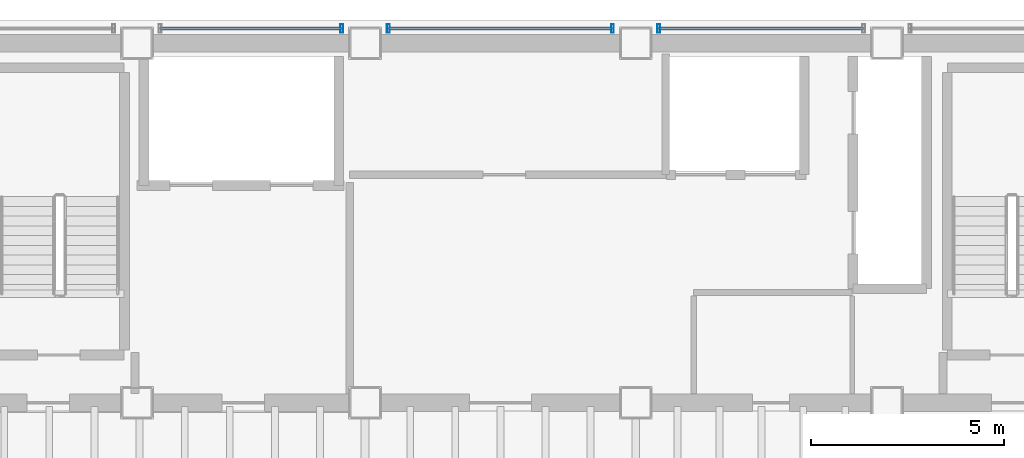
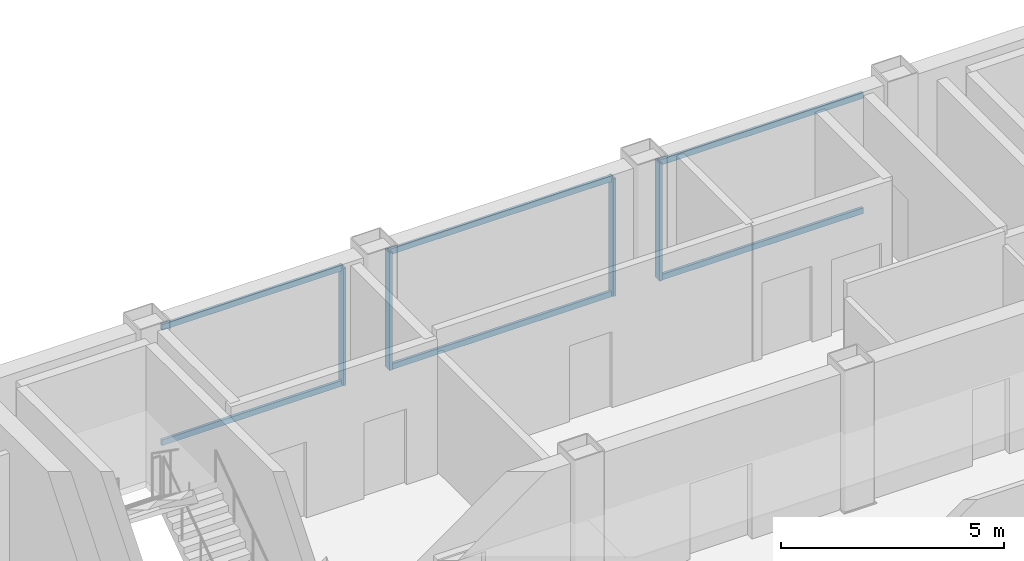
# One storey, part 9 of 16: 10 members, 3 elements without a shape of their own.
"""IFC4 building model written with IfcOpenShell, lengths in metres."""

from ifc_helpers import new_model, si_unit, direction, frame, origin, origin_2d, place, context, subcontext, project, spatial, hollow_rectangle, extrude, material, material_profile, profile_set, type_object, element, aggregate, save


model = new_model("IFC4")

# Units and contexts
model_context = context("Model", 3, precision=1e-05, world=origin(), true_north=direction((0.0, 1.0)))
body_context = subcontext(model_context, "Body", "Model", "MODEL_VIEW")
ifc_project = project(units=[si_unit("LENGTHUNIT", "METRE"), si_unit("AREAUNIT", "SQUARE_METRE"), si_unit("VOLUMEUNIT", "CUBIC_METRE"), si_unit("PLANEANGLEUNIT", "RADIAN"), si_unit("MASSUNIT", "GRAM", prefix="KILO")], contexts=[model_context])

# Site, building, storey
site_placement = place(None, origin())
site = spatial("IfcSite", under=ifc_project, at=site_placement, CompositionType="ELEMENT")
building_placement = place(site_placement, origin())
building = spatial("IfcBuilding", under=site, at=building_placement, Name="Noeulbin Bourse Tower", CompositionType="ELEMENT")
storey_placement = place(building_placement, frame((0.0, 0.0, 234.5)))
storey = spatial("IfcBuildingStorey", under=building, at=storey_placement, Name="L58", CompositionType="ELEMENT", Elevation=234.5)

# Curtain wall, member
ifc_material_1 = material(Name="High-Selectivity Low-Iron Glazing", Category="glass")
curtain_wall_type = type_object("IfcCurtainWallType", Name="CW-SYS-4", PredefinedType="NOTDEFINED", material=ifc_material_1)
curtain_wall_1_placement = place(storey_placement, origin())
curtain_wall_1 = element("IfcCurtainWall", 1, at=curtain_wall_1_placement, inside=storey, type_object=curtain_wall_type, Name="Unitised Curtain Wall CW-L58-N-S3", PredefinedType="NOTDEFINED")
ifc_material_2 = material(Name="Anodised Aluminium 6063-T6", Category="aluminium")
ifc_material_profile_1 = material_profile(ifc_material_2, hollow_rectangle(XDim=0.074951171875, YDim=0.219970703125, WallThickness=0.0048828125, InnerFilletRadius=0.00244140625, OuterFilletRadius=0.0048828125, at=origin_2d()), Name="ALU-MULL-75x220x5", Category="LoadBearing")
ifc_profile_set_1 = profile_set([ifc_material_profile_1], Name="Anodised Aluminium 6063-T6")
member_type_1 = type_object("IfcMemberType", Name="CW-SYS-4-MUL", PredefinedType="MULLION", material=ifc_profile_set_1)
member_1_placement = place(storey_placement, frame((23.39990234375, 38.679931640625, -0.02001953125), z_axis=(0.0, 0.0, 1.0), x_axis=(1.0, 0.0, 0.0)))
member_1 = element("IfcMember", 2, at=member_1_placement, type_object=member_type_1, Name="Curtain Wall Mullion CW-L58-N-S3-M01", PredefinedType="MULLION", context=body_context, shape_type="SweptSolid", body=[
    extrude(hollow_rectangle(XDim=0.074951171875, YDim=0.219970703125, WallThickness=0.0048828125, InnerFilletRadius=0.00244140625, OuterFilletRadius=0.0048828125, at=origin_2d()), origin(), (0.0, 0.0, 1.0), 3.219970703125),
])

# Curtain wall, members
curtain_wall_2_placement = place(storey_placement, origin())
curtain_wall_2 = element("IfcCurtainWall", 3, at=curtain_wall_2_placement, inside=storey, type_object=curtain_wall_type, Name="Unitised Curtain Wall CW-L58-N-S4", PredefinedType="NOTDEFINED")
member_2_placement = place(storey_placement, frame((24.60009765625, 38.679931640625, -0.02001953125), z_axis=(0.0, 0.0, 1.0), x_axis=(1.0, 0.0, 0.0)))
member_2 = element("IfcMember", 4, at=member_2_placement, type_object=member_type_1, Name="Curtain Wall Mullion CW-L58-N-S4-M00", PredefinedType="MULLION", context=body_context, shape_type="SweptSolid", body=[
    extrude(hollow_rectangle(XDim=0.074951171875, YDim=0.219970703125, WallThickness=0.0048828125, InnerFilletRadius=0.00244140625, OuterFilletRadius=0.0048828125, at=origin_2d()), origin(), (0.0, 0.0, 1.0), 3.219970703125),
])
member_3_placement = place(storey_placement, frame((30.39990234375, 38.679931640625, -0.02001953125), z_axis=(0.0, 0.0, 1.0), x_axis=(1.0, 0.0, 0.0)))
member_3 = element("IfcMember", 5, at=member_3_placement, type_object=member_type_1, Name="Curtain Wall Mullion CW-L58-N-S4-M01", PredefinedType="MULLION", context=body_context, shape_type="SweptSolid", body=[
    extrude(hollow_rectangle(XDim=0.074951171875, YDim=0.219970703125, WallThickness=0.0048828125, InnerFilletRadius=0.00244140625, OuterFilletRadius=0.0048828125, at=origin_2d()), origin(), (0.0, 0.0, 1.0), 3.219970703125),
])

# Curtain wall, member
curtain_wall_3_placement = place(storey_placement, origin())
curtain_wall_3 = element("IfcCurtainWall", 6, at=curtain_wall_3_placement, inside=storey, type_object=curtain_wall_type, Name="Unitised Curtain Wall CW-L58-N-S5", PredefinedType="NOTDEFINED")
member_4_placement = place(storey_placement, frame((31.60009765625, 38.679931640625, -0.02001953125), z_axis=(0.0, 0.0, 1.0), x_axis=(1.0, 0.0, 0.0)))
member_4 = element("IfcMember", 7, at=member_4_placement, type_object=member_type_1, Name="Curtain Wall Mullion CW-L58-N-S5-M00", PredefinedType="MULLION", context=body_context, shape_type="SweptSolid", body=[
    extrude(hollow_rectangle(XDim=0.074951171875, YDim=0.219970703125, WallThickness=0.0048828125, InnerFilletRadius=0.00244140625, OuterFilletRadius=0.0048828125, at=origin_2d()), origin(), (0.0, 0.0, 1.0), 3.219970703125),
])

# Member
ifc_material_profile_2 = material_profile(ifc_material_2, hollow_rectangle(XDim=0.074951171875, YDim=0.159912109375, WallThickness=0.0048828125, InnerFilletRadius=0.00244140625, OuterFilletRadius=0.0048828125, at=origin_2d()), Name="ALU-TRAN-75x160x5", Category="LoadBearing")
ifc_profile_set_2 = profile_set([ifc_material_profile_2], Name="Anodised Aluminium 6063-T6")
member_type_2 = type_object("IfcMemberType", Name="CW-SYS-4-TRN", PredefinedType="USERDEFINED", material=ifc_profile_set_2)
member_5_placement = place(storey_placement, frame((18.7099609375, 38.679931640625, 0.010009765625), z_axis=(1.0, 0.0, 0.0), x_axis=(0.0, 1.0, 0.0)))
member_5 = element("IfcMember", 8, at=member_5_placement, type_object=member_type_2, Name="Curtain Wall Transom CW-L58-N-S3-T00", ObjectType="TRANSOM", PredefinedType="USERDEFINED", context=body_context, shape_type="SweptSolid", body=[
    extrude(hollow_rectangle(XDim=0.074951171875, YDim=0.159912109375, WallThickness=0.0048828125, InnerFilletRadius=0.00244140625, OuterFilletRadius=0.0048828125, at=origin_2d()), origin(), (0.0, 0.0, 1.0), 4.679931640625),
])

member_6_placement = place(storey_placement, frame((18.7099609375, 38.679931640625, 3.169921875), z_axis=(1.0, 0.0, 0.0), x_axis=(0.0, 1.0, 0.0)))
member_6 = element("IfcMember", 9, at=member_6_placement, type_object=member_type_2, Name="Curtain Wall Transom CW-L58-N-S3-T01", ObjectType="TRANSOM", PredefinedType="USERDEFINED", context=body_context, shape_type="SweptSolid", body=[
    extrude(hollow_rectangle(XDim=0.074951171875, YDim=0.159912109375, WallThickness=0.0048828125, InnerFilletRadius=0.00244140625, OuterFilletRadius=0.0048828125, at=origin_2d()), origin(), (0.0, 0.0, 1.0), 4.679931640625),
])

aggregate(curtain_wall_1, [member_1, member_5, member_6])

member_7_placement = place(storey_placement, frame((24.610107421875, 38.679931640625, 0.010009765625), z_axis=(1.0, 0.0, 0.0), x_axis=(0.0, 1.0, 0.0)))
member_7 = element("IfcMember", 10, at=member_7_placement, type_object=member_type_2, Name="Curtain Wall Transom CW-L58-N-S4-T00", ObjectType="TRANSOM", PredefinedType="USERDEFINED", context=body_context, shape_type="SweptSolid", body=[
    extrude(hollow_rectangle(XDim=0.074951171875, YDim=0.159912109375, WallThickness=0.0048828125, InnerFilletRadius=0.00244140625, OuterFilletRadius=0.0048828125, at=origin_2d()), origin(), (0.0, 0.0, 1.0), 5.77978515625),
])

member_8_placement = place(storey_placement, frame((24.610107421875, 38.679931640625, 3.169921875), z_axis=(1.0, 0.0, 0.0), x_axis=(0.0, 1.0, 0.0)))
member_8 = element("IfcMember", 11, at=member_8_placement, type_object=member_type_2, Name="Curtain Wall Transom CW-L58-N-S4-T01", ObjectType="TRANSOM", PredefinedType="USERDEFINED", context=body_context, shape_type="SweptSolid", body=[
    extrude(hollow_rectangle(XDim=0.074951171875, YDim=0.159912109375, WallThickness=0.0048828125, InnerFilletRadius=0.00244140625, OuterFilletRadius=0.0048828125, at=origin_2d()), origin(), (0.0, 0.0, 1.0), 5.77978515625),
])

aggregate(curtain_wall_2, [member_2, member_3, member_7, member_8])

member_9_placement = place(storey_placement, frame((31.610107421875, 38.679931640625, 0.010009765625), z_axis=(1.0, 0.0, 0.0), x_axis=(0.0, 1.0, 0.0)))
member_9 = element("IfcMember", 12, at=member_9_placement, type_object=member_type_2, Name="Curtain Wall Transom CW-L58-N-S5-T00", ObjectType="TRANSOM", PredefinedType="USERDEFINED", context=body_context, shape_type="SweptSolid", body=[
    extrude(hollow_rectangle(XDim=0.074951171875, YDim=0.159912109375, WallThickness=0.0048828125, InnerFilletRadius=0.00244140625, OuterFilletRadius=0.0048828125, at=origin_2d()), origin(), (0.0, 0.0, 1.0), 5.27978515625),
])

member_10_placement = place(storey_placement, frame((31.610107421875, 38.679931640625, 3.169921875), z_axis=(1.0, 0.0, 0.0), x_axis=(0.0, 1.0, 0.0)))
member_10 = element("IfcMember", 13, at=member_10_placement, type_object=member_type_2, Name="Curtain Wall Transom CW-L58-N-S5-T01", ObjectType="TRANSOM", PredefinedType="USERDEFINED", context=body_context, shape_type="SweptSolid", body=[
    extrude(hollow_rectangle(XDim=0.074951171875, YDim=0.159912109375, WallThickness=0.0048828125, InnerFilletRadius=0.00244140625, OuterFilletRadius=0.0048828125, at=origin_2d()), origin(), (0.0, 0.0, 1.0), 5.27978515625),
])

aggregate(curtain_wall_3, [member_4, member_9, member_10])

save(model, "model.ifc")
